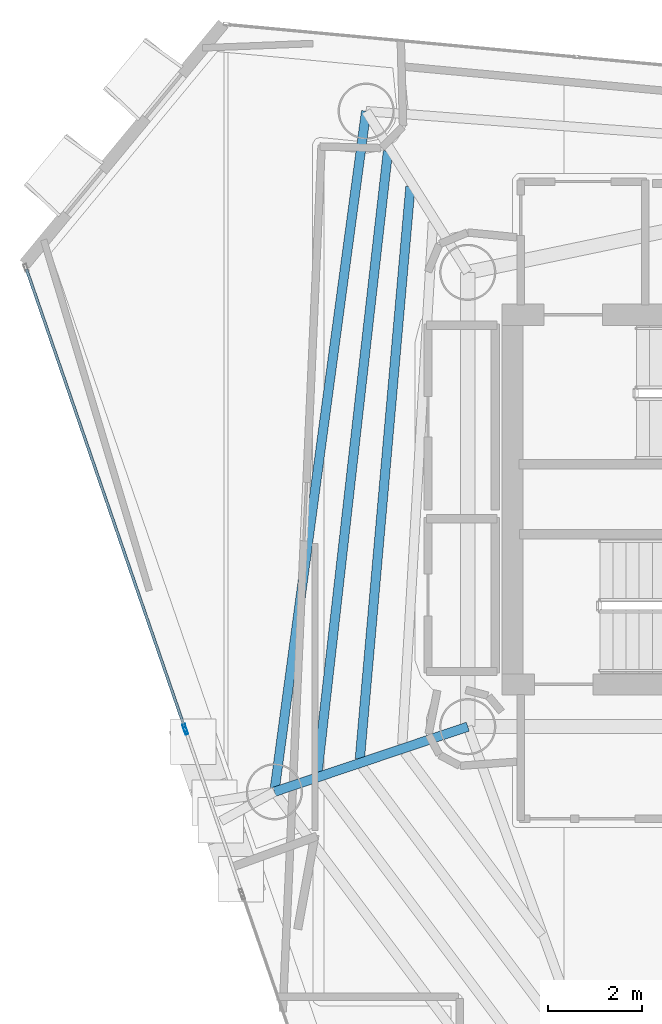
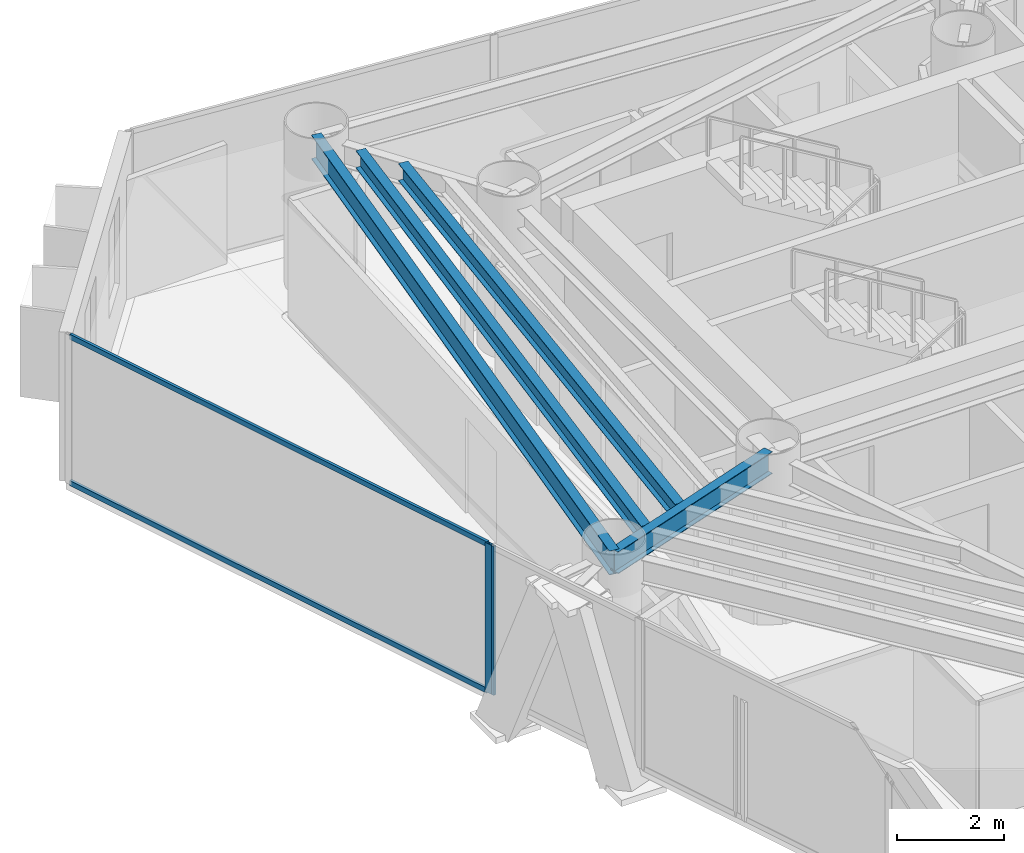
# One storey, part 7 of 20: 4 beams, 4 members, 2 elements without a shape of their own.
"""IFC4 building model written with IfcOpenShell, lengths in metres."""

from ifc_helpers import new_model, si_unit, direction, frame, origin, origin_2d, place, context, subcontext, project, spatial, hollow_rectangle, i_section, extrude, material, layer, layer_set, material_profile, profile_set, type_object, element, aggregate, save


model = new_model("IFC4")

# Units and contexts
model_context = context("Model", 3, precision=1e-05, world=origin(), true_north=direction((0.0, 1.0)))
body_context = subcontext(model_context, "Body", "Model", "MODEL_VIEW")
ifc_project = project(units=[si_unit("LENGTHUNIT", "METRE"), si_unit("AREAUNIT", "SQUARE_METRE"), si_unit("VOLUMEUNIT", "CUBIC_METRE"), si_unit("PLANEANGLEUNIT", "RADIAN"), si_unit("MASSUNIT", "GRAM", prefix="KILO")], contexts=[model_context])

# Site, building, storey
site_placement = place(None, origin())
site = spatial("IfcSite", under=ifc_project, at=site_placement, CompositionType="ELEMENT")
building_placement = place(site_placement, origin())
building = spatial("IfcBuilding", under=site, at=building_placement, Name="Qianvela Tower", CompositionType="ELEMENT")
storey_placement = place(building_placement, frame((0.0, 0.0, 226.199951171875)))
storey = spatial("IfcBuildingStorey", under=building, at=storey_placement, Name="L58", CompositionType="ELEMENT", Elevation=226.199951171875)

# Beams
ifc_material_1 = material(Name="Steel Q355B", Category="steel")
ifc_material_profile_1 = material_profile(ifc_material_1, i_section(OverallWidth=0.199951171875, OverallDepth=0.39990234375, WebThickness=0.008056640625, FlangeThickness=0.012939453125, at=origin_2d()), Name="HN400x200x8x13")
ifc_profile_set_1 = profile_set([ifc_material_profile_1], Name="Steel Q355B")
beam_type_1 = type_object("IfcBeamType", Name="BM-HN400-JOIST", PredefinedType="JOIST", material=ifc_profile_set_1)
beam_1_placement = place(storey_placement, frame((27.376953125, 35.3818359375, 3.197998046875), z_axis=(-0.088081491788, -0.996113272075, 0.0), x_axis=(0.996113272075, -0.088081491788, 0.0)))
element("IfcBeam", 1, at=beam_1_placement, inside=storey, type_object=beam_type_1, Name="L58 Secondary Composite Floor Joist 3.2", PredefinedType="JOIST", context=body_context, shape_type="SweptSolid", body=[
    extrude(i_section(OverallWidth=0.199951171875, OverallDepth=0.39990234375, WebThickness=0.008056640625, FlangeThickness=0.012939453125, at=origin_2d()), origin(), (0.0, 0.0, 1.0), 12.26220703125),
])
beam_2_placement = place(storey_placement, frame((26.8974609375, 36.139404296875, 3.197998046875), z_axis=(-0.112721124494, -0.993626664343, 0.0), x_axis=(0.993626664343, -0.112721124494, 0.0)))
element("IfcBeam", 2, at=beam_2_placement, inside=storey, type_object=beam_type_1, Name="L58 Secondary Composite Floor Joist 3.3", PredefinedType="JOIST", context=body_context, shape_type="SweptSolid", body=[
    extrude(i_section(OverallWidth=0.199951171875, OverallDepth=0.39990234375, WebThickness=0.008056640625, FlangeThickness=0.012939453125, at=origin_2d()), origin(), (0.0, 0.0, 1.0), 13.363525390625),
])
ifc_material_2 = material(Name="Steel Q355B", Category="steel")
ifc_material_profile_2 = material_profile(ifc_material_2, i_section(OverallWidth=0.199951171875, OverallDepth=0.5, WebThickness=0.010009765625, FlangeThickness=0.01611328125, at=origin_2d()), Name="HN500x200x10x16")
ifc_profile_set_2 = profile_set([ifc_material_profile_2], Name="Steel Q355B")
beam_type_2 = type_object("IfcBeamType", Name="BM-HN500-GIRD", PredefinedType="BEAM", material=ifc_profile_set_2)
beam_3_placement = place(storey_placement, frame((28.60009765625, 23.85009765625, 3.14794921875), z_axis=(-0.947709214586, -0.319135150976, 0.0), x_axis=(0.319135150976, -0.947709214586, 0.0)))
element("IfcBeam", 3, at=beam_3_placement, inside=storey, type_object=beam_type_2, Name="L58 Radial Primary Floor Girder 4", PredefinedType="BEAM", context=body_context, shape_type="SweptSolid", body=[
    extrude(i_section(OverallWidth=0.199951171875, OverallDepth=0.5, WebThickness=0.010009765625, FlangeThickness=0.01611328125, at=origin_2d()), origin(), (0.0, 0.0, 1.0), 4.35595703125),
])
ifc_material_3 = material(Name="Steel Q355B", Category="steel")
ifc_material_profile_3 = material_profile(ifc_material_3, i_section(OverallWidth=0.199951171875, OverallDepth=0.550048828125, WebThickness=0.010009765625, FlangeThickness=0.01611328125, at=origin_2d()), Name="HN550x200x10x16")
ifc_profile_set_3 = profile_set([ifc_material_profile_3], Name="Steel Q355B")
beam_type_3 = type_object("IfcBeamType", Name="BM-HN550-GIRD", PredefinedType="BEAM", material=ifc_profile_set_3)
beam_4_placement = place(storey_placement, frame((26.430908203125, 36.991943359375, 3.123046875), z_axis=(-0.133596613255, -0.991035793968, 0.0), x_axis=(0.991035793968, -0.133596613255, 0.0)))
element("IfcBeam", 4, at=beam_4_placement, inside=storey, type_object=beam_type_3, Name="L58 Perimeter Ring Spandrel Girder 3", PredefinedType="BEAM", context=body_context, shape_type="SweptSolid", body=[
    extrude(i_section(OverallWidth=0.199951171875, OverallDepth=0.550048828125, WebThickness=0.010009765625, FlangeThickness=0.01611328125, at=origin_2d()), origin(), (0.0, 0.0, 1.0), 14.663330078125),
])

# Curtain wall, member
ifc_material_4 = material(Name="Anodised Architectural Aluminium and Insulated Spandrel Panel", Category="aluminium")
ifc_layer_1 = layer(ifc_material_4, 0.179931640625)
ifc_layer_set_1 = layer_set([ifc_layer_1], Name="Anodised Architectural Aluminium and Insulated Spandrel Panel")
curtain_wall_type_1 = type_object("IfcCurtainWallType", Name="CW-BRACEBAY", PredefinedType="USERDEFINED", material=ifc_layer_set_1)
curtain_wall_1_placement = place(storey_placement, origin())
curtain_wall_1 = element("IfcCurtainWall", 5, at=curtain_wall_1_placement, inside=storey, type_object=curtain_wall_type_1, Name="L58 CW-BRACEBAY Curtain Wall 04B", ObjectType="CURTAIN_WALL_SYSTEM", PredefinedType="USERDEFINED")
ifc_material_5 = material(Name="Anodised Architectural Aluminium 6063-T6", Category="aluminium")
ifc_material_profile_4 = material_profile(ifc_material_5, hollow_rectangle(XDim=0.06494140625, YDim=0.159912109375, WallThickness=0.0048828125, at=origin_2d()), Name="ALU-MULL-65x160")
ifc_profile_set_4 = profile_set([ifc_material_profile_4], Name="Anodised Architectural Aluminium 6063-T6")
member_type_1 = type_object("IfcMemberType", Name="CW-BRACEBAY-MULL", PredefinedType="MULLION", material=ifc_profile_set_4)
member_1_placement = place(storey_placement, frame((22.580322265625, 23.761474609375, 0.0), z_axis=(0.0, 0.0, 1.0), x_axis=(0.945288963328, 0.326234234578, 0.0)))
member_1 = element("IfcMember", 6, at=member_1_placement, type_object=member_type_1, Name="CW-9 mullion 1", PredefinedType="MULLION", context=body_context, shape_type="SweptSolid", body=[
    extrude(hollow_rectangle(XDim=0.06494140625, YDim=0.159912109375, WallThickness=0.0048828125, at=origin_2d()), origin(), (0.0, 0.0, 1.0), 3.400146484375),
])
aggregate(curtain_wall_1, [member_1])

# Curtain wall, members
ifc_material_6 = material(Name="Anodised Architectural Aluminium and Low-E Glass", Category="aluminium")
ifc_layer_2 = layer(ifc_material_6, 0.159912109375)
ifc_layer_set_2 = layer_set([ifc_layer_2], Name="Anodised Architectural Aluminium and Low-E Glass")
curtain_wall_type_2 = type_object("IfcCurtainWallType", Name="CW-COLIV-Z56", PredefinedType="USERDEFINED", material=ifc_layer_set_2)
curtain_wall_2_placement = place(storey_placement, origin())
curtain_wall_2 = element("IfcCurtainWall", 7, at=curtain_wall_2_placement, inside=storey, type_object=curtain_wall_type_2, Name="L58 CW-COLIV-Z56 Curtain Wall 04A", ObjectType="CURTAIN_WALL_SYSTEM", PredefinedType="USERDEFINED")
ifc_material_7 = material(Name="Anodised Architectural Aluminium 6063-T6", Category="aluminium")
ifc_material_profile_5 = material_profile(ifc_material_7, hollow_rectangle(XDim=0.06494140625, YDim=0.159912109375, WallThickness=0.0048828125, at=origin_2d()), Name="ALU-MULL-65x160")
ifc_profile_set_5 = profile_set([ifc_material_profile_5], Name="Anodised Architectural Aluminium 6063-T6")
member_type_2 = type_object("IfcMemberType", Name="CW-COLIV-Z56-MULL", PredefinedType="MULLION", material=ifc_profile_set_5)
member_2_placement = place(storey_placement, frame((22.55908203125, 23.82275390625, 0.0), z_axis=(0.0, 0.0, 1.0), x_axis=(0.945291979622, 0.326225494501, 0.0)))
member_2 = element("IfcMember", 8, at=member_2_placement, type_object=member_type_2, Name="CW-5 mullion 2", PredefinedType="MULLION", context=body_context, shape_type="SweptSolid", body=[
    extrude(hollow_rectangle(XDim=0.06494140625, YDim=0.159912109375, WallThickness=0.0048828125, at=origin_2d()), origin(), (0.0, 0.0, 1.0), 3.400146484375),
])
ifc_material_8 = material(Name="Anodised Architectural Aluminium 6063-T6", Category="aluminium")
ifc_material_profile_6 = material_profile(ifc_material_8, hollow_rectangle(XDim=0.06005859375, YDim=0.114990234375, WallThickness=0.00390625, at=origin_2d()), Name="ALU-TRAN-60x115")
ifc_profile_set_6 = profile_set([ifc_material_profile_6], Name="Anodised Architectural Aluminium 6063-T6")
member_type_3 = type_object("IfcMemberType", Name="CW-COLIV-Z56-TRAN", PredefinedType="USERDEFINED", material=ifc_profile_set_6)
member_3_placement = place(storey_placement, frame((19.1787109375, 33.618408203125, 0.030029296875), z_axis=(0.326221564496, -0.945293335879, 0.0), x_axis=(0.945293335879, 0.326221564496, 0.0)))
member_3 = element("IfcMember", 9, at=member_3_placement, type_object=member_type_3, Name="CW-5 transom 1.1", ObjectType="TRANSOM", PredefinedType="USERDEFINED", context=body_context, shape_type="SweptSolid", body=[
    extrude(hollow_rectangle(XDim=0.06005859375, YDim=0.114990234375, WallThickness=0.00390625, at=origin_2d()), origin(), (0.0, 0.0, 1.0), 10.330078125),
])
member_4_placement = place(storey_placement, frame((19.1787109375, 33.618408203125, 3.3701171875), z_axis=(0.326221564496, -0.945293335879, 0.0), x_axis=(0.945293335879, 0.326221564496, 0.0)))
member_4 = element("IfcMember", 10, at=member_4_placement, type_object=member_type_3, Name="CW-5 transom 1.2", ObjectType="TRANSOM", PredefinedType="USERDEFINED", context=body_context, shape_type="SweptSolid", body=[
    extrude(hollow_rectangle(XDim=0.06005859375, YDim=0.114990234375, WallThickness=0.00390625, at=origin_2d()), origin(), (0.0, 0.0, 1.0), 10.330078125),
])
aggregate(curtain_wall_2, [member_2, member_3, member_4])

save(model, "model.ifc")
